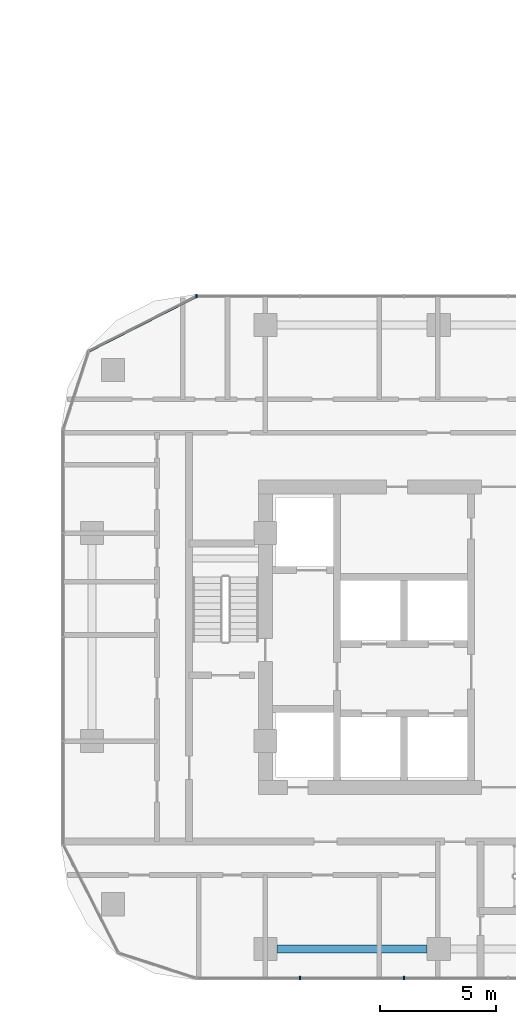
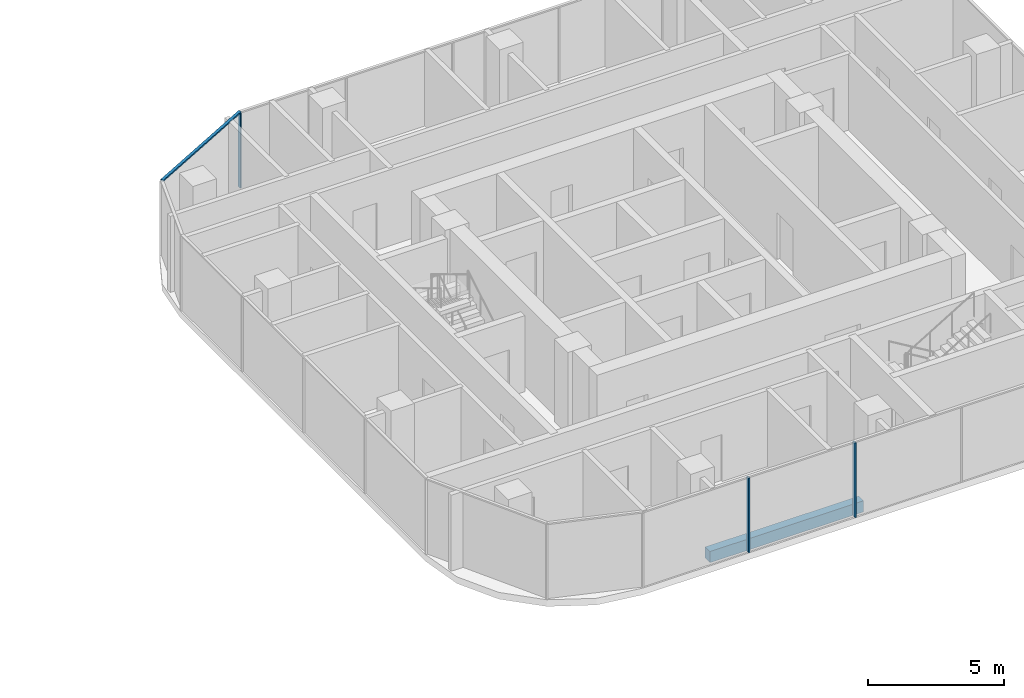
# One storey, part 10 of 36: 4 members, 1 beam, 3 elements without a shape of their own.
"""IFC4 building model written with IfcOpenShell, lengths in metres."""

from ifc_helpers import new_model, si_unit, direction, frame, origin, origin_2d, place, context, subcontext, project, spatial, rectangle, extrude, material, material_profile, profile_set, type_object, element, aggregate, save


model = new_model("IFC4")

# Units and contexts
model_context = context("Model", 3, precision=1e-05, world=origin(), true_north=direction((0.0, 1.0)))
body_context = subcontext(model_context, "Body", "Model", "MODEL_VIEW")
ifc_project = project(units=[si_unit("LENGTHUNIT", "METRE"), si_unit("AREAUNIT", "SQUARE_METRE"), si_unit("VOLUMEUNIT", "CUBIC_METRE"), si_unit("PLANEANGLEUNIT", "RADIAN"), si_unit("MASSUNIT", "GRAM", prefix="KILO")], contexts=[model_context])

# Site, building, storey
site_placement = place(None, origin())
site = spatial("IfcSite", under=ifc_project, at=site_placement, CompositionType="ELEMENT")
building_placement = place(site_placement, origin())
building = spatial("IfcBuilding", under=site, at=building_placement, Name="Ogive Portal Towers", CompositionType="ELEMENT")
storey_placement = place(building_placement, frame((0.0, 0.0, 48.300048828125)))
storey = spatial("IfcBuildingStorey", under=building, at=storey_placement, Name="L10", CompositionType="ELEMENT", Elevation=48.300048828125)

# Curtain wall, members
ifc_material_1 = material(Name="Glass, clear low-iron insulated glazing", Category="glass")
curtain_wall_type = type_object("IfcCurtainWallType", Name="CW RESIDENCES RIBBON", PredefinedType="NOTDEFINED", material=ifc_material_1)
curtain_wall_1_placement = place(storey_placement, origin())
curtain_wall_1 = element("IfcCurtainWall", 1, at=curtain_wall_1_placement, inside=storey, type_object=curtain_wall_type, Name="B:L10:f02:cw0", PredefinedType="NOTDEFINED")
ifc_material_2 = material(Name="Aluminium 6063 anodised", Category="aluminium")
ifc_material_profile_1 = material_profile(ifc_material_2, rectangle(XDim=0.159912109375, YDim=0.06005859375, at=origin_2d()), Name="AL 60x160")
ifc_profile_set_1 = profile_set([ifc_material_profile_1], Name="Aluminium 6063 anodised")
member_type_1 = type_object("IfcMemberType", Name="CW MULLION 60x160", PredefinedType="MULLION", material=ifc_profile_set_1)
member_1_placement = place(storey_placement, frame((130.5, 16.2451171875, 0.0), z_axis=(0.0, 0.0, 1.0), x_axis=(0.0, 1.0, 0.0)))
member_1 = element("IfcMember", 2, at=member_1_placement, type_object=member_type_1, Name="mullion", PredefinedType="MULLION", context=body_context, shape_type="SweptSolid", body=[
    extrude(rectangle(XDim=0.159912109375, YDim=0.06005859375, at=origin_2d()), origin(), (0.0, 0.0, 1.0), 3.33984375),
])
member_2_placement = place(storey_placement, frame((135.0, 16.2451171875, 0.0), z_axis=(0.0, 0.0, 1.0), x_axis=(0.0, 1.0, 0.0)))
member_2 = element("IfcMember", 3, at=member_2_placement, type_object=member_type_1, Name="mullion", PredefinedType="MULLION", context=body_context, shape_type="SweptSolid", body=[
    extrude(rectangle(XDim=0.159912109375, YDim=0.06005859375, at=origin_2d()), origin(), (0.0, 0.0, 1.0), 3.33984375),
])
aggregate(curtain_wall_1, [member_1, member_2])

# Curtain wall, member
curtain_wall_2_placement = place(storey_placement, origin())
curtain_wall_2 = element("IfcCurtainWall", 4, at=curtain_wall_2_placement, inside=storey, type_object=curtain_wall_type, Name="B:L10:f08:cw0", PredefinedType="NOTDEFINED")
member_3_placement = place(storey_placement, frame((126.019287109375, 45.7548828125, 0.0), z_axis=(0.0, 0.0, 1.0), x_axis=(0.0, -1.0, 0.0)))
member_3 = element("IfcMember", 5, at=member_3_placement, type_object=member_type_1, Name="mullion", PredefinedType="MULLION", context=body_context, shape_type="SweptSolid", body=[
    extrude(rectangle(XDim=0.159912109375, YDim=0.06005859375, at=origin_2d()), origin(), (0.0, 0.0, 1.0), 3.33984375),
])
aggregate(curtain_wall_2, [member_3])

curtain_wall_3_placement = place(storey_placement, origin())
curtain_wall_3 = element("IfcCurtainWall", 6, at=curtain_wall_3_placement, inside=storey, type_object=curtain_wall_type, Name="B:L10:f09:cwa", PredefinedType="NOTDEFINED")
ifc_material_profile_2 = material_profile(ifc_material_2, rectangle(XDim=0.1201171875, YDim=0.06005859375, at=origin_2d()), Name="AL 120x60")
ifc_profile_set_2 = profile_set([ifc_material_profile_2], Name="Aluminium 6063 anodised")
member_type_2 = type_object("IfcMemberType", Name="CW TRANSOM 60x120", PredefinedType="USERDEFINED", material=ifc_profile_set_2)
member_4_placement = place(storey_placement, frame((126.019287109375, 45.7548828125, 3.369873046875), z_axis=(-0.891022803147, -0.453958549068, 0.0), x_axis=(0.453958549068, -0.891022803147, 0.0)))
member_4 = element("IfcMember", 7, at=member_4_placement, type_object=member_type_2, Name="transom", ObjectType="TRANSOM", PredefinedType="USERDEFINED", context=body_context, shape_type="SweptSolid", body=[
    extrude(rectangle(XDim=0.1201171875, YDim=0.06005859375, at=origin_2d()), origin(), (0.0, 0.0, 1.0), 5.245849609375),
])
aggregate(curtain_wall_3, [member_4])

# Beam
ifc_material_3 = material(Name="Concrete C50/60", Category="concrete")
ifc_material_profile_3 = material_profile(ifc_material_3, rectangle(XDim=0.35009765625, YDim=0.5, at=origin_2d()), Name="RC 350x500")
ifc_profile_set_3 = profile_set([ifc_material_profile_3], Name="Concrete C50/60")
beam_type = type_object("IfcBeamType", Name="SPANDREL BEAM RC 350x500", PredefinedType="BEAM", material=ifc_profile_set_3)
beam_placement = place(storey_placement, frame((129.5, 17.5, -0.550048828125), z_axis=(1.0, 0.0, 0.0), x_axis=(0.0, 1.0, 0.0)))
element("IfcBeam", 8, at=beam_placement, inside=storey, type_object=beam_type, Name="Spandrel beam L10", PredefinedType="BEAM", context=body_context, shape_type="SweptSolid", body=[
    extrude(rectangle(XDim=0.35009765625, YDim=0.5, at=origin_2d()), origin(), (0.0, 0.0, 1.0), 6.5),
])

save(model, "model.ifc")
